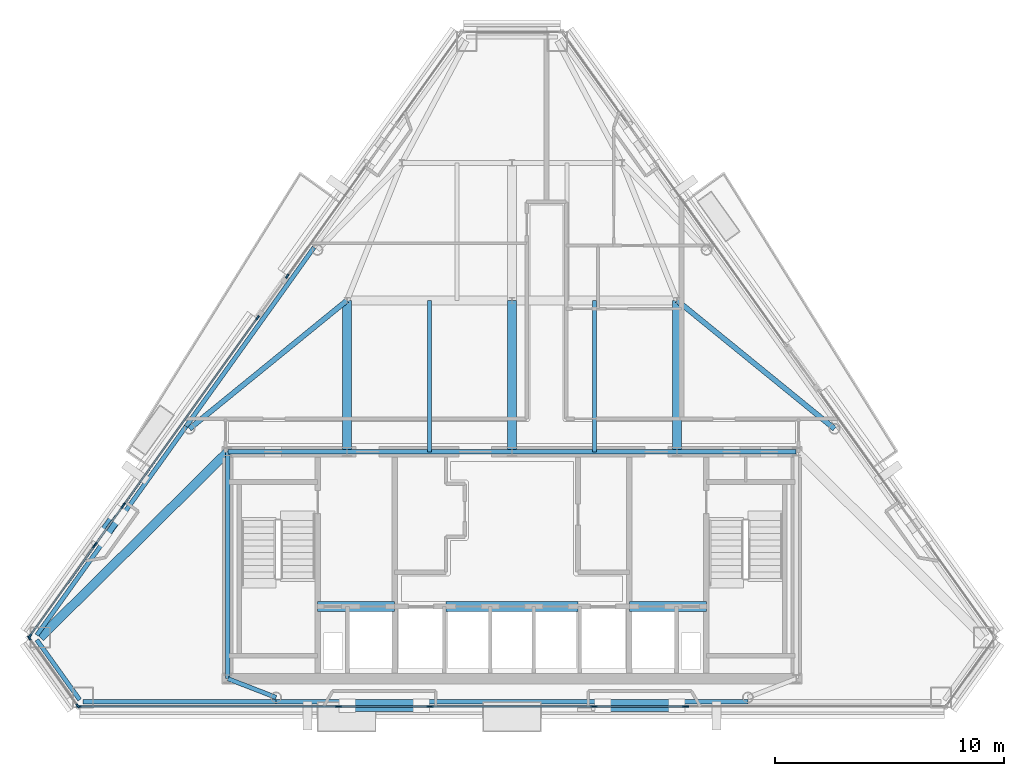
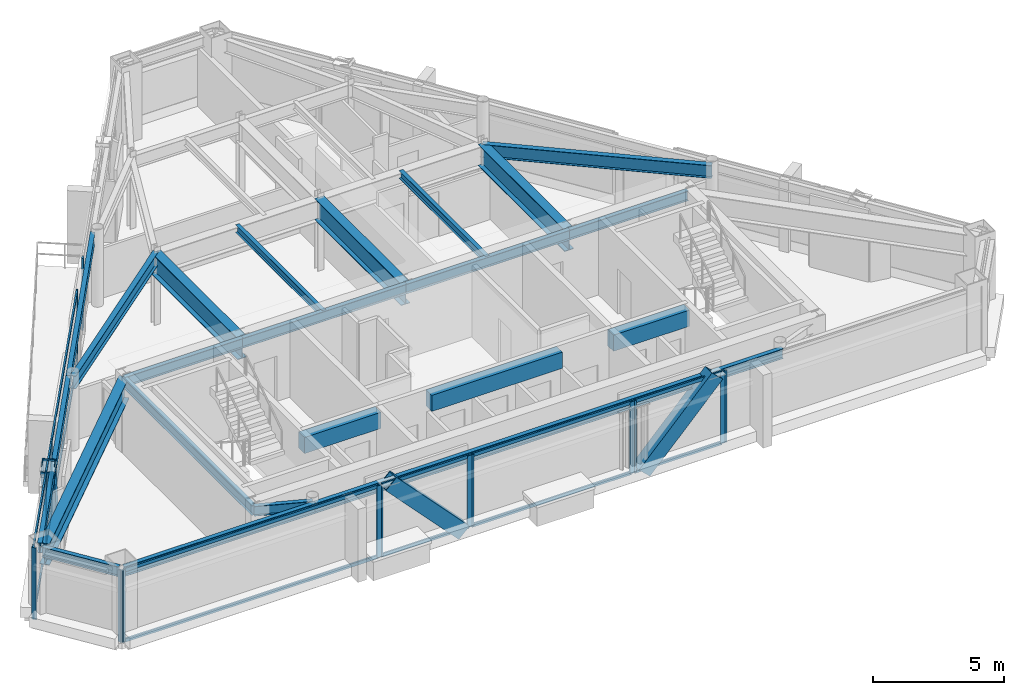
# One storey, part 4 of 12: 35 members, 22 beams, 10 elements without a shape of their own.
"""IFC4 building model written with IfcOpenShell, lengths in metres."""

from ifc_helpers import new_model, si_unit, direction, frame, origin, origin_2d, place, context, subcontext, project, spatial, rectangle, hollow_rectangle, i_section, extrude, material, layer, layer_set, material_profile, profile_set, type_object, element, aggregate, save


model = new_model("IFC4")

# Units and contexts
model_context = context("Model", 3, precision=1e-05, world=origin(), true_north=direction((0.0, 1.0)))
body_context = subcontext(model_context, "Body", "Model", "MODEL_VIEW")
ifc_project = project(units=[si_unit("LENGTHUNIT", "METRE"), si_unit("AREAUNIT", "SQUARE_METRE"), si_unit("VOLUMEUNIT", "CUBIC_METRE"), si_unit("PLANEANGLEUNIT", "RADIAN"), si_unit("MASSUNIT", "GRAM", prefix="KILO")], contexts=[model_context])

# Site, building, storey
site_placement = place(None, origin())
site = spatial("IfcSite", under=ifc_project, at=site_placement, CompositionType="ELEMENT")
building_placement = place(site_placement, origin())
building = spatial("IfcBuilding", under=site, at=building_placement, Name="Talgorran Terracotta Tower", CompositionType="ELEMENT")
storey_placement = place(building_placement, frame((0.0, 0.0, 267.0)))
storey = spatial("IfcBuildingStorey", under=building, at=storey_placement, Name="L70", CompositionType="ELEMENT", Elevation=267.0)

# Beams
ifc_material_1 = material(Name="Steel Grade 350 (350L0)", Category="steel")
ifc_material_profile_1 = material_profile(ifc_material_1, i_section(OverallWidth=0.39990234375, OverallDepth=1.0, WebThickness=0.01611328125, FlangeThickness=0.031005859375, at=origin_2d()), Name="1000WB296")
ifc_profile_set_1 = profile_set([ifc_material_profile_1], Name="Steel Grade 350 (350L0)")
beam_type_1 = type_object("IfcBeamType", Name="BM_1000WB296", PredefinedType="BEAM", material=ifc_profile_set_1)
for number, where, z_axis, x_axis, name in (
    (1, (-7.199951171875, -4.199951171875, 2.844970703125), (0.0, 1.0, 0.0), (-1.0, 0.0, 0.0), "L70 Floor Girder G01"),
    (2, (0.0, -4.199951171875, 2.844970703125), (0.0, 1.0, 0.0), (-1.0, 0.0, 0.0), "L70 Floor Girder G02"),
    (3, (7.199951171875, -4.199951171875, 2.844970703125), (0.0, 1.0, 0.0), (-1.0, 0.0, 0.0), "L70 Floor Girder G03"),
):
    element("IfcBeam", number, at=place(storey_placement, frame(where, z_axis=z_axis, x_axis=x_axis)), inside=storey, type_object=beam_type_1, Name=name, PredefinedType="BEAM", context=body_context, shape_type="SweptSolid", body=[
        extrude(i_section(OverallWidth=0.39990234375, OverallDepth=1.0, WebThickness=0.01611328125, FlangeThickness=0.031005859375, at=origin_2d()), origin(), (0.0, 0.0, 1.0), 6.599853515625),
    ])
beam_1_placement = place(storey_placement, frame((-12.39990234375, -4.199951171875, 2.844970703125), z_axis=(-0.710637755688, -0.703558085868, 0.0), x_axis=(0.703558085868, -0.710637755688, 0.0)))
element("IfcBeam", 4, at=beam_1_placement, inside=storey, type_object=beam_type_1, Name="L70 Floor Girder G17", PredefinedType="BEAM", context=body_context, shape_type="SweptSolid", body=[
    extrude(i_section(OverallWidth=0.39990234375, OverallDepth=1.0, WebThickness=0.01611328125, FlangeThickness=0.031005859375, at=origin_2d()), origin(), (0.0, 0.0, 1.0), 11.517822265625),
])
ifc_material_2 = material(Name="Steel S355 (300PLUS)", Category="steel")
ifc_material_profile_2 = material_profile(ifc_material_2, i_section(OverallWidth=0.22802734375, OverallDepth=0.60205078125, WebThickness=0.010498046875, FlangeThickness=0.014892578125, at=origin_2d()), Name="610UB101")
ifc_profile_set_2 = profile_set([ifc_material_profile_2], Name="Steel S355 (300PLUS)")
beam_type_2 = type_object("IfcBeamType", Name="BM_610UB101", PredefinedType="BEAM", material=ifc_profile_set_2)
for number, where, z_axis, x_axis, name in (
    (5, (-7.199951171875, 2.39990234375, 3.0439453125), (-0.775393850299, -0.631477930667, 0.0), (0.631477930667, -0.775393850299, 0.0), "L70 Floor Girder G06"),
    (6, (7.199951171875, 2.39990234375, 3.0439453125), (0.775393850299, -0.631477930667, 0.0), (0.631477930667, 0.775393850299, 0.0), "L70 Floor Girder G07"),
):
    element("IfcBeam", number, at=place(storey_placement, frame(where, z_axis=z_axis, x_axis=x_axis)), inside=storey, type_object=beam_type_2, Name=name, PredefinedType="BEAM", context=body_context, shape_type="SweptSolid", body=[
        extrude(i_section(OverallWidth=0.22802734375, OverallDepth=0.60205078125, WebThickness=0.010498046875, FlangeThickness=0.014892578125, at=origin_2d()), origin(), (0.0, 0.0, 1.0), 8.862060546875),
    ])
ifc_material_3 = material(Name="Concrete C50/60", Category="concrete")
ifc_material_profile_3 = material_profile(ifc_material_3, rectangle(XDim=0.449951171875, YDim=0.75, at=origin_2d()), Name="RCCB450X750")
ifc_profile_set_3 = profile_set([ifc_material_profile_3], Name="Concrete C50/60")
beam_type_3 = type_object("IfcBeamType", Name="BM_CB_450X750", PredefinedType="LINTEL", material=ifc_profile_set_3)
beam_2_placement = place(storey_placement, frame((-8.47998046875, -10.949951171875, 2.969970703125), z_axis=(1.0, 0.0, 0.0), x_axis=(0.0, 1.0, 0.0)))
element("IfcBeam", 7, at=beam_2_placement, inside=storey, type_object=beam_type_3, Name="L70 Core Shear-Wall Coupling Beam CB1", PredefinedType="LINTEL", context=body_context, shape_type="SweptSolid", body=[
    extrude(rectangle(XDim=0.449951171875, YDim=0.75, at=origin_2d()), origin(), (0.0, 0.0, 1.0), 3.35986328125),
])
beam_3_placement = place(storey_placement, frame((-2.8798828125, -10.949951171875, 2.969970703125), z_axis=(1.0, 0.0, 0.0), x_axis=(0.0, 1.0, 0.0)))
element("IfcBeam", 8, at=beam_3_placement, inside=storey, type_object=beam_type_3, Name="L70 Core Shear-Wall Coupling Beam CB2", PredefinedType="LINTEL", context=body_context, shape_type="SweptSolid", body=[
    extrude(rectangle(XDim=0.449951171875, YDim=0.75, at=origin_2d()), origin(), (0.0, 0.0, 1.0), 5.759765625),
])
beam_4_placement = place(storey_placement, frame((5.1201171875, -10.949951171875, 2.969970703125), z_axis=(1.0, 0.0, 0.0), x_axis=(0.0, 1.0, 0.0)))
element("IfcBeam", 9, at=beam_4_placement, inside=storey, type_object=beam_type_3, Name="L70 Core Shear-Wall Coupling Beam CB3", PredefinedType="LINTEL", context=body_context, shape_type="SweptSolid", body=[
    extrude(rectangle(XDim=0.449951171875, YDim=0.75, at=origin_2d()), origin(), (0.0, 0.0, 1.0), 3.35986328125),
])
ifc_material_profile_4 = material_profile(ifc_material_2, i_section(OverallWidth=0.17138671875, OverallDepth=0.355712890625, WebThickness=0.00732421875, FlangeThickness=0.011474609375, at=origin_2d()), Name="360UB50.7")
ifc_profile_set_4 = profile_set([ifc_material_profile_4], Name="Steel S355 (300PLUS)")
beam_type_4 = type_object("IfcBeamType", Name="BM_JS_360UB51", PredefinedType="JOIST", material=ifc_profile_set_4)
for number, where, z_axis, x_axis, name in (
    (10, (-3.60009765625, -4.199951171875, 3.167236328125), (0.0, 1.0, 0.0), (-1.0, 0.0, 0.0), "L70 Secondary Joist J01"),
    (11, (3.60009765625, -4.199951171875, 3.167236328125), (0.0, 1.0, 0.0), (-1.0, 0.0, 0.0), "L70 Secondary Joist J02"),
):
    element("IfcBeam", number, at=place(storey_placement, frame(where, z_axis=z_axis, x_axis=x_axis)), inside=storey, type_object=beam_type_4, Name=name, PredefinedType="JOIST", context=body_context, shape_type="SweptSolid", body=[
        extrude(i_section(OverallWidth=0.17138671875, OverallDepth=0.355712890625, WebThickness=0.00732421875, FlangeThickness=0.011474609375, at=origin_2d()), origin(), (0.0, 0.0, 1.0), 6.599853515625),
    ])
ifc_material_profile_5 = material_profile(ifc_material_2, i_section(OverallWidth=0.18994140625, OverallDepth=0.45703125, WebThickness=0.009033203125, FlangeThickness=0.014404296875, at=origin_2d()), Name="460UB74.6")
ifc_profile_set_5 = profile_set([ifc_material_profile_5], Name="Steel S355 (300PLUS)")
beam_type_5 = type_object("IfcBeamType", Name="BM_SP_460UB74", PredefinedType="SPANDREL", material=ifc_profile_set_5)
beam_5_placement = place(storey_placement, frame((-20.731201171875, -12.408203125, 3.116455078125), z_axis=(0.581733647308, -0.8133793479, 0.0), x_axis=(0.8133793479, 0.581733647308, 0.0)))
element("IfcBeam", 12, at=beam_5_placement, inside=storey, type_object=beam_type_5, Name="L70 Perimeter Spandrel Beam MC1-MC2", PredefinedType="SPANDREL", context=body_context, shape_type="SweptSolid", body=[
    extrude(i_section(OverallWidth=0.18994140625, OverallDepth=0.45703125, WebThickness=0.009033203125, FlangeThickness=0.014404296875, at=origin_2d()), origin(), (0.0, 0.0, 1.0), 3.215576171875),
])
beam_6_placement = place(storey_placement, frame((-18.71435546875, -15.098876953125, 3.116455078125), z_axis=(1.0, 0.0, 0.0), x_axis=(0.0, 1.0, 0.0)))
element("IfcBeam", 13, at=beam_6_placement, inside=storey, type_object=beam_type_5, Name="L70 Perimeter Spandrel Beam MC2-FC1", PredefinedType="SPANDREL", context=body_context, shape_type="SweptSolid", body=[
    extrude(i_section(OverallWidth=0.18994140625, OverallDepth=0.45703125, WebThickness=0.009033203125, FlangeThickness=0.014404296875, at=origin_2d()), origin(), (0.0, 0.0, 1.0), 8.42138671875),
])
beam_7_placement = place(storey_placement, frame((-10.29296875, -15.098876953125, 3.116455078125), z_axis=(1.0, 0.0, 0.0), x_axis=(0.0, 1.0, 0.0)))
element("IfcBeam", 14, at=beam_7_placement, inside=storey, type_object=beam_type_5, Name="L70 Perimeter Spandrel Beam FC1-FC2", PredefinedType="SPANDREL", context=body_context, shape_type="SweptSolid", body=[
    extrude(i_section(OverallWidth=0.18994140625, OverallDepth=0.45703125, WebThickness=0.009033203125, FlangeThickness=0.014404296875, at=origin_2d()), origin(), (0.0, 0.0, 1.0), 20.5859375),
])
beam_8_placement = place(storey_placement, frame((-8.635009765625, 4.71435546875, 3.116455078125), z_axis=(-0.581733798122, -0.813379240037, 0.0), x_axis=(0.813379240037, -0.581733798122, 0.0)))
element("IfcBeam", 15, at=beam_8_placement, inside=storey, type_object=beam_type_5, Name="L70 Perimeter Spandrel Beam FC5-FC6", PredefinedType="SPANDREL", context=body_context, shape_type="SweptSolid", body=[
    extrude(i_section(OverallWidth=0.18994140625, OverallDepth=0.45703125, WebThickness=0.009033203125, FlangeThickness=0.014404296875, at=origin_2d()), origin(), (0.0, 0.0, 1.0), 9.59716796875),
])
beam_9_placement = place(storey_placement, frame((-14.218017578125, -3.091796875, 3.116455078125), z_axis=(-0.581724880889, -0.813385617622, 0.0), x_axis=(0.813385617622, -0.581724880889, 0.0)))
element("IfcBeam", 16, at=beam_9_placement, inside=storey, type_object=beam_type_5, Name="L70 Perimeter Spandrel Beam FC6-MC1", PredefinedType="SPANDREL", context=body_context, shape_type="SweptSolid", body=[
    extrude(i_section(OverallWidth=0.18994140625, OverallDepth=0.45703125, WebThickness=0.009033203125, FlangeThickness=0.014404296875, at=origin_2d()), origin(), (0.0, 0.0, 1.0), 11.1962890625),
])
beam_10_placement = place(storey_placement, frame((-10.29296875, -14.9189453125, 3.116455078125), z_axis=(-0.932081672707, 0.362248195859, 0.0), x_axis=(-0.362248195859, -0.932081672707, 0.0)))
element("IfcBeam", 17, at=beam_10_placement, inside=storey, type_object=beam_type_5, Name="L70 South-West Core Tie Beam", PredefinedType="SPANDREL", context=body_context, shape_type="SweptSolid", body=[
    extrude(i_section(OverallWidth=0.18994140625, OverallDepth=0.45703125, WebThickness=0.009033203125, FlangeThickness=0.014404296875, at=origin_2d()), origin(), (0.0, 0.0, 1.0), 2.260498046875),
])
beam_11_placement = place(storey_placement, frame((-12.39990234375, -14.10009765625, 3.116455078125), z_axis=(0.0, 1.0, 0.0), x_axis=(-1.0, 0.0, 0.0)))
element("IfcBeam", 18, at=beam_11_placement, inside=storey, type_object=beam_type_5, Name="L70 Core Frame Beam CFW", PredefinedType="SPANDREL", context=body_context, shape_type="SweptSolid", body=[
    extrude(i_section(OverallWidth=0.18994140625, OverallDepth=0.45703125, WebThickness=0.009033203125, FlangeThickness=0.014404296875, at=origin_2d()), origin(), (0.0, 0.0, 1.0), 9.900146484375),
])
beam_12_placement = place(storey_placement, frame((-12.39990234375, -4.199951171875, 3.116455078125), z_axis=(1.0, 0.0, 0.0), x_axis=(0.0, 1.0, 0.0)))
element("IfcBeam", 19, at=beam_12_placement, inside=storey, type_object=beam_type_5, Name="L70 Core Frame Beam CFN1", PredefinedType="SPANDREL", context=body_context, shape_type="SweptSolid", body=[
    extrude(i_section(OverallWidth=0.18994140625, OverallDepth=0.45703125, WebThickness=0.009033203125, FlangeThickness=0.014404296875, at=origin_2d()), origin(), (0.0, 0.0, 1.0), 5.199951171875),
])
for number, where, z_axis, x_axis, name in (
    (20, (-7.199951171875, -4.199951171875, 3.116455078125), (1.0, 0.0, 0.0), (0.0, 1.0, 0.0), "L70 Core Frame Beam CFN2"),
    (21, (0.0, -4.199951171875, 3.116455078125), (1.0, 0.0, 0.0), (0.0, 1.0, 0.0), "L70 Core Frame Beam CFN3"),
):
    element("IfcBeam", number, at=place(storey_placement, frame(where, z_axis=z_axis, x_axis=x_axis)), inside=storey, type_object=beam_type_5, Name=name, PredefinedType="SPANDREL", context=body_context, shape_type="SweptSolid", body=[
        extrude(i_section(OverallWidth=0.18994140625, OverallDepth=0.45703125, WebThickness=0.009033203125, FlangeThickness=0.014404296875, at=origin_2d()), origin(), (0.0, 0.0, 1.0), 7.199951171875),
    ])
beam_13_placement = place(storey_placement, frame((7.199951171875, -4.199951171875, 3.116455078125), z_axis=(1.0, 0.0, 0.0), x_axis=(0.0, 1.0, 0.0)))
element("IfcBeam", 22, at=beam_13_placement, inside=storey, type_object=beam_type_5, Name="L70 Core Frame Beam CFN4", PredefinedType="SPANDREL", context=body_context, shape_type="SweptSolid", body=[
    extrude(i_section(OverallWidth=0.18994140625, OverallDepth=0.45703125, WebThickness=0.009033203125, FlangeThickness=0.014404296875, at=origin_2d()), origin(), (0.0, 0.0, 1.0), 5.199951171875),
])

# Members
ifc_material_profile_6 = material_profile(ifc_material_1, hollow_rectangle(XDim=0.52001953125, YDim=0.659912109375, WallThickness=0.034912109375, at=origin_2d()), Name="WBOX660X520X35")
ifc_profile_set_6 = profile_set([ifc_material_profile_6], Name="Steel Grade 350 (350L0)")
member_type_1 = type_object("IfcMemberType", Name="MB_MEGA_660", PredefinedType="BRACE", material=ifc_profile_set_6)
for number, where, z_axis, x_axis, name in (
    (23, (-3.968994140625, -15.27880859375, -0.02490234375), (-0.687356288481, 0.0, 0.726320406354), (0.0, -1.0, 0.0), "L70 Exterior Face Mega-Brace MB-3 (SWF)"),
    (24, (3.968994140625, -15.27880859375, -0.02490234375), (0.687356288481, 0.0, 0.726320406354), (0.0, 1.0, 0.0), "L70 Exterior Face Mega-Brace MB-3 (SEF)"),
):
    element("IfcMember", number, at=place(storey_placement, frame(where, z_axis=z_axis, x_axis=x_axis)), inside=storey, type_object=member_type_1, Name=name, PredefinedType="BRACE", context=body_context, shape_type="SweptSolid", body=[
        extrude(hollow_rectangle(XDim=0.52001953125, YDim=0.659912109375, WallThickness=0.034912109375, at=origin_2d()), origin(), (0.0, 0.0, 1.0), 4.67431640625),
    ])
member_1_placement = place(storey_placement, frame((-17.197509765625, -6.9482421875, -0.02490234375), z_axis=(-0.193842884076, -0.271068153387, 0.942839855178), x_axis=(0.813417169156, -0.581680762035, 0.0)))
element("IfcMember", 25, at=member_1_placement, inside=storey, type_object=member_type_1, Name="L70 Exterior Face Mega-Brace MB-3 (NWL)", PredefinedType="BRACE", context=body_context, shape_type="SweptSolid", body=[
    extrude(hollow_rectangle(XDim=0.52001953125, YDim=0.659912109375, WallThickness=0.034912109375, at=origin_2d()), origin(), (0.0, 0.0, 1.0), 3.600830078125),
])

# Curtain wall, members
ifc_material_4 = material(Name="High-Wind Unitised Glazing", Category="glass")
ifc_layer = layer(ifc_material_4, 0.2099609375, Name="CW_SYS3_RES_HIGH")
ifc_layer_set = layer_set([ifc_layer], Name="High-Wind Unitised Glazing")
curtain_wall_type = type_object("IfcCurtainWallType", Name="CW_SYS3_RES_HIGH", PredefinedType="NOTDEFINED", material=ifc_layer_set)
curtain_wall_1_placement = place(storey_placement, origin())
curtain_wall_1 = element("IfcCurtainWall", 26, at=curtain_wall_1_placement, inside=storey, type_object=curtain_wall_type, Name="CW-L70-F0", PredefinedType="NOTDEFINED")
ifc_material_5 = material(Name="Architectural Aluminium 6063-T6", Category="aluminium")
ifc_material_profile_7 = material_profile(ifc_material_5, rectangle(XDim=0.070068359375, YDim=0.199951171875, at=origin_2d()), Name="CWM70X200")
ifc_profile_set_7 = profile_set([ifc_material_profile_7], Name="Architectural Aluminium 6063-T6")
member_type_2 = type_object("IfcMemberType", Name="MUL_70X200", PredefinedType="MULLION", material=ifc_profile_set_7)
member_2_placement = place(storey_placement, frame((-21.056396484375, -12.33203125, 0.0), z_axis=(0.0, 0.0, 1.0), x_axis=(0.813370623345, 0.581745845777, 0.0)))
member_2 = element("IfcMember", 27, at=member_2_placement, type_object=member_type_2, Name="CW-L70-0 mullion 1", PredefinedType="MULLION", context=body_context, shape_type="SweptSolid", body=[
    extrude(rectangle(XDim=0.070068359375, YDim=0.199951171875, at=origin_2d()), origin(), (0.0, 0.0, 1.0), 3.344970703125),
])
member_3_placement = place(storey_placement, frame((-18.9404296875, -15.29052734375, 0.0), z_axis=(0.0, 0.0, 1.0), x_axis=(0.813370623345, 0.581745845777, 0.0)))
member_3 = element("IfcMember", 28, at=member_3_placement, type_object=member_type_2, Name="CW-L70-0 mullion 2", PredefinedType="MULLION", context=body_context, shape_type="SweptSolid", body=[
    extrude(rectangle(XDim=0.070068359375, YDim=0.199951171875, at=origin_2d()), origin(), (0.0, 0.0, 1.0), 3.344970703125),
])
aggregate(curtain_wall_1, [member_2, member_3])

curtain_wall_2_placement = place(storey_placement, origin())
curtain_wall_2 = element("IfcCurtainWall", 29, at=curtain_wall_2_placement, inside=storey, type_object=curtain_wall_type, Name="CW-L70-F1", PredefinedType="NOTDEFINED")
member_4_placement = place(storey_placement, frame((-18.885009765625, -15.31884765625, 0.0), z_axis=(0.0, 0.0, 1.0), x_axis=(0.0, 1.0, 0.0)))
member_4 = element("IfcMember", 30, at=member_4_placement, type_object=member_type_2, Name="CW-L70-1 mullion 1", PredefinedType="MULLION", context=body_context, shape_type="SweptSolid", body=[
    extrude(rectangle(XDim=0.070068359375, YDim=0.199951171875, at=origin_2d()), origin(), (0.0, 0.0, 1.0), 3.344970703125),
])
member_5_placement = place(storey_placement, frame((-7.611572265625, -15.31884765625, 0.0), z_axis=(0.0, 0.0, 1.0), x_axis=(0.0, 1.0, 0.0)))
member_5 = element("IfcMember", 31, at=member_5_placement, type_object=member_type_2, Name="CW-L70-1 mullion 2", PredefinedType="MULLION", context=body_context, shape_type="SweptSolid", body=[
    extrude(rectangle(XDim=0.070068359375, YDim=0.199951171875, at=origin_2d()), origin(), (0.0, 0.0, 1.0), 3.344970703125),
])

curtain_wall_3_placement = place(storey_placement, origin())
curtain_wall_3 = element("IfcCurtainWall", 32, at=curtain_wall_3_placement, inside=storey, type_object=curtain_wall_type, Name="CW-L70-F1B", PredefinedType="NOTDEFINED")
member_6_placement = place(storey_placement, frame((-7.531494140625, -15.31884765625, 0.0), z_axis=(0.0, 0.0, 1.0), x_axis=(0.0, 1.0, 0.0)))
member_6 = element("IfcMember", 33, at=member_6_placement, type_object=member_type_2, Name="CW-L70-1B mullion 1", PredefinedType="MULLION", context=body_context, shape_type="SweptSolid", body=[
    extrude(rectangle(XDim=0.070068359375, YDim=0.199951171875, at=origin_2d()), origin(), (0.0, 0.0, 1.0), 3.344970703125),
])
member_7_placement = place(storey_placement, frame((-3.619140625, -15.31884765625, 0.0), z_axis=(0.0, 0.0, 1.0), x_axis=(0.0, 1.0, 0.0)))
member_7 = element("IfcMember", 34, at=member_7_placement, type_object=member_type_2, Name="CW-L70-1B mullion 2", PredefinedType="MULLION", context=body_context, shape_type="SweptSolid", body=[
    extrude(rectangle(XDim=0.070068359375, YDim=0.199951171875, at=origin_2d()), origin(), (0.0, 0.0, 1.0), 3.344970703125),
])

curtain_wall_4_placement = place(storey_placement, origin())
curtain_wall_4 = element("IfcCurtainWall", 35, at=curtain_wall_4_placement, inside=storey, type_object=curtain_wall_type, Name="CW-L70-F1C", PredefinedType="NOTDEFINED")
member_8_placement = place(storey_placement, frame((-3.539306640625, -15.31884765625, 0.0), z_axis=(0.0, 0.0, 1.0), x_axis=(0.0, 1.0, 0.0)))
member_8 = element("IfcMember", 36, at=member_8_placement, type_object=member_type_2, Name="CW-L70-1C mullion 1", PredefinedType="MULLION", context=body_context, shape_type="SweptSolid", body=[
    extrude(rectangle(XDim=0.070068359375, YDim=0.199951171875, at=origin_2d()), origin(), (0.0, 0.0, 1.0), 3.344970703125),
])
member_9_placement = place(storey_placement, frame((3.539306640625, -15.31884765625, 0.0), z_axis=(0.0, 0.0, 1.0), x_axis=(0.0, 1.0, 0.0)))
member_9 = element("IfcMember", 37, at=member_9_placement, type_object=member_type_2, Name="CW-L70-1C mullion 2", PredefinedType="MULLION", context=body_context, shape_type="SweptSolid", body=[
    extrude(rectangle(XDim=0.070068359375, YDim=0.199951171875, at=origin_2d()), origin(), (0.0, 0.0, 1.0), 3.344970703125),
])

curtain_wall_5_placement = place(storey_placement, origin())
curtain_wall_5 = element("IfcCurtainWall", 38, at=curtain_wall_5_placement, inside=storey, type_object=curtain_wall_type, Name="CW-L70-F1D", PredefinedType="NOTDEFINED")
member_10_placement = place(storey_placement, frame((3.619140625, -15.31884765625, 0.0), z_axis=(0.0, 0.0, 1.0), x_axis=(0.0, 1.0, 0.0)))
member_10 = element("IfcMember", 39, at=member_10_placement, type_object=member_type_2, Name="CW-L70-1D mullion 1", PredefinedType="MULLION", context=body_context, shape_type="SweptSolid", body=[
    extrude(rectangle(XDim=0.070068359375, YDim=0.199951171875, at=origin_2d()), origin(), (0.0, 0.0, 1.0), 3.344970703125),
])
member_11_placement = place(storey_placement, frame((7.531494140625, -15.31884765625, 0.0), z_axis=(0.0, 0.0, 1.0), x_axis=(0.0, 1.0, 0.0)))
member_11 = element("IfcMember", 40, at=member_11_placement, type_object=member_type_2, Name="CW-L70-1D mullion 2", PredefinedType="MULLION", context=body_context, shape_type="SweptSolid", body=[
    extrude(rectangle(XDim=0.070068359375, YDim=0.199951171875, at=origin_2d()), origin(), (0.0, 0.0, 1.0), 3.344970703125),
])

# Curtain wall, member
curtain_wall_6_placement = place(storey_placement, origin())
curtain_wall_6 = element("IfcCurtainWall", 41, at=curtain_wall_6_placement, inside=storey, type_object=curtain_wall_type, Name="CW-L70-F1E", PredefinedType="NOTDEFINED")
member_12_placement = place(storey_placement, frame((7.611572265625, -15.31884765625, 0.0), z_axis=(0.0, 0.0, 1.0), x_axis=(0.0, 1.0, 0.0)))
member_12 = element("IfcMember", 42, at=member_12_placement, type_object=member_type_2, Name="CW-L70-1E mullion 1", PredefinedType="MULLION", context=body_context, shape_type="SweptSolid", body=[
    extrude(rectangle(XDim=0.070068359375, YDim=0.199951171875, at=origin_2d()), origin(), (0.0, 0.0, 1.0), 3.344970703125),
])
aggregate(curtain_wall_6, [member_12])

curtain_wall_7_placement = place(storey_placement, origin())
curtain_wall_7 = element("IfcCurtainWall", 43, at=curtain_wall_7_placement, inside=storey, type_object=curtain_wall_type, Name="CW-L70-F60C", PredefinedType="NOTDEFINED")
member_13_placement = place(storey_placement, frame((-9.8046875, 3.457275390625, 0.0), z_axis=(0.0, 0.0, 1.0), x_axis=(0.813377099395, -0.581736791152, 0.0)))
member_13 = element("IfcMember", 44, at=member_13_placement, type_object=member_type_2, Name="CW-L70-60C mullion 2", PredefinedType="MULLION", context=body_context, shape_type="SweptSolid", body=[
    extrude(rectangle(XDim=0.070068359375, YDim=0.199951171875, at=origin_2d()), origin(), (0.0, 0.0, 1.0), 3.344970703125),
])
aggregate(curtain_wall_7, [member_13])

# Curtain wall, members
curtain_wall_8_placement = place(storey_placement, origin())
curtain_wall_8 = element("IfcCurtainWall", 45, at=curtain_wall_8_placement, inside=storey, type_object=curtain_wall_type, Name="CW-L70-F61", PredefinedType="NOTDEFINED")
member_14_placement = place(storey_placement, frame((-11.101806640625, 1.643310546875, 0.0), z_axis=(0.0, 0.0, 1.0), x_axis=(0.813381544675, -0.581730575767, 0.0)))
member_14 = element("IfcMember", 46, at=member_14_placement, type_object=member_type_2, Name="CW-L70-61 mullion 1", PredefinedType="MULLION", context=body_context, shape_type="SweptSolid", body=[
    extrude(rectangle(XDim=0.070068359375, YDim=0.199951171875, at=origin_2d()), origin(), (0.0, 0.0, 1.0), 3.344970703125),
])
member_15_placement = place(storey_placement, frame((-16.9384765625, -6.517333984375, 0.0), z_axis=(0.0, 0.0, 1.0), x_axis=(0.813381544675, -0.581730575767, 0.0)))
member_15 = element("IfcMember", 47, at=member_15_placement, type_object=member_type_2, Name="CW-L70-61 mullion 2", PredefinedType="MULLION", context=body_context, shape_type="SweptSolid", body=[
    extrude(rectangle(XDim=0.070068359375, YDim=0.199951171875, at=origin_2d()), origin(), (0.0, 0.0, 1.0), 3.344970703125),
])

curtain_wall_9_placement = place(storey_placement, origin())
curtain_wall_9 = element("IfcCurtainWall", 48, at=curtain_wall_9_placement, inside=storey, type_object=curtain_wall_type, Name="CW-L70-F61B", PredefinedType="NOTDEFINED")
member_16_placement = place(storey_placement, frame((-16.98486328125, -6.58251953125, 0.0), z_axis=(0.0, 0.0, 1.0), x_axis=(0.813378256404, -0.581735173433, 0.0)))
member_16 = element("IfcMember", 49, at=member_16_placement, type_object=member_type_2, Name="CW-L70-61B mullion 1", PredefinedType="MULLION", context=body_context, shape_type="SweptSolid", body=[
    extrude(rectangle(XDim=0.070068359375, YDim=0.199951171875, at=origin_2d()), origin(), (0.0, 0.0, 1.0), 3.344970703125),
])
member_17_placement = place(storey_placement, frame((-18.173095703125, -8.24365234375, 0.0), z_axis=(0.0, 0.0, 1.0), x_axis=(0.813378256404, -0.581735173433, 0.0)))
member_17 = element("IfcMember", 50, at=member_17_placement, type_object=member_type_2, Name="CW-L70-61B mullion 2", PredefinedType="MULLION", context=body_context, shape_type="SweptSolid", body=[
    extrude(rectangle(XDim=0.070068359375, YDim=0.199951171875, at=origin_2d()), origin(), (0.0, 0.0, 1.0), 3.344970703125),
])

curtain_wall_10_placement = place(storey_placement, origin())
curtain_wall_10 = element("IfcCurtainWall", 51, at=curtain_wall_10_placement, inside=storey, type_object=curtain_wall_type, Name="CW-L70-F61C", PredefinedType="NOTDEFINED")
member_18_placement = place(storey_placement, frame((-18.219482421875, -8.308837890625, 0.0), z_axis=(0.0, 0.0, 1.0), x_axis=(0.813376636428, -0.581737438466, 0.0)))
member_18 = element("IfcMember", 52, at=member_18_placement, type_object=member_type_2, Name="CW-L70-61C mullion 1", PredefinedType="MULLION", context=body_context, shape_type="SweptSolid", body=[
    extrude(rectangle(XDim=0.070068359375, YDim=0.199951171875, at=origin_2d()), origin(), (0.0, 0.0, 1.0), 3.344970703125),
])
member_19_placement = place(storey_placement, frame((-21.032958984375, -12.242431640625, 0.0), z_axis=(0.0, 0.0, 1.0), x_axis=(0.813376636428, -0.581737438466, 0.0)))
member_19 = element("IfcMember", 53, at=member_19_placement, type_object=member_type_2, Name="CW-L70-61C mullion 2", PredefinedType="MULLION", context=body_context, shape_type="SweptSolid", body=[
    extrude(rectangle(XDim=0.070068359375, YDim=0.199951171875, at=origin_2d()), origin(), (0.0, 0.0, 1.0), 3.344970703125),
])

# Member
ifc_material_profile_8 = material_profile(ifc_material_5, rectangle(XDim=0.070068359375, YDim=0.159912109375, at=origin_2d()), Name="CWT70X160")
ifc_profile_set_8 = profile_set([ifc_material_profile_8], Name="Architectural Aluminium 6063-T6")
member_type_3 = type_object("IfcMemberType", Name="TRN_70X160", PredefinedType="USERDEFINED", material=ifc_profile_set_8)
member_20_placement = place(storey_placement, frame((-18.85009765625, -15.31884765625, 0.034912109375), z_axis=(1.0, 0.0, 0.0), x_axis=(0.0, 1.0, 0.0)))
member_20 = element("IfcMember", 54, at=member_20_placement, type_object=member_type_3, Name="CW-L70-1 transom 1.1", ObjectType="TRANSOM", PredefinedType="USERDEFINED", context=body_context, shape_type="SweptSolid", body=[
    extrude(rectangle(XDim=0.070068359375, YDim=0.159912109375, at=origin_2d()), origin(), (0.0, 0.0, 1.0), 11.20361328125),
])

member_21_placement = place(storey_placement, frame((-18.85009765625, -15.31884765625, 3.31005859375), z_axis=(1.0, 0.0, 0.0), x_axis=(0.0, 1.0, 0.0)))
member_21 = element("IfcMember", 55, at=member_21_placement, type_object=member_type_3, Name="CW-L70-1 transom 1.2", ObjectType="TRANSOM", PredefinedType="USERDEFINED", context=body_context, shape_type="SweptSolid", body=[
    extrude(rectangle(XDim=0.070068359375, YDim=0.159912109375, at=origin_2d()), origin(), (0.0, 0.0, 1.0), 11.20361328125),
])

aggregate(curtain_wall_2, [member_4, member_5, member_20, member_21])

member_22_placement = place(storey_placement, frame((-7.49658203125, -15.31884765625, 0.034912109375), z_axis=(1.0, 0.0, 0.0), x_axis=(0.0, 1.0, 0.0)))
member_22 = element("IfcMember", 56, at=member_22_placement, type_object=member_type_3, Name="CW-L70-1B transom 1.1", ObjectType="TRANSOM", PredefinedType="USERDEFINED", context=body_context, shape_type="SweptSolid", body=[
    extrude(rectangle(XDim=0.070068359375, YDim=0.159912109375, at=origin_2d()), origin(), (0.0, 0.0, 1.0), 3.84228515625),
])

member_23_placement = place(storey_placement, frame((-7.49658203125, -15.31884765625, 3.31005859375), z_axis=(1.0, 0.0, 0.0), x_axis=(0.0, 1.0, 0.0)))
member_23 = element("IfcMember", 57, at=member_23_placement, type_object=member_type_3, Name="CW-L70-1B transom 1.2", ObjectType="TRANSOM", PredefinedType="USERDEFINED", context=body_context, shape_type="SweptSolid", body=[
    extrude(rectangle(XDim=0.070068359375, YDim=0.159912109375, at=origin_2d()), origin(), (0.0, 0.0, 1.0), 3.84228515625),
])

aggregate(curtain_wall_3, [member_6, member_7, member_22, member_23])

member_24_placement = place(storey_placement, frame((-3.504150390625, -15.31884765625, 0.034912109375), z_axis=(1.0, 0.0, 0.0), x_axis=(0.0, 1.0, 0.0)))
member_24 = element("IfcMember", 58, at=member_24_placement, type_object=member_type_3, Name="CW-L70-1C transom 1.1", ObjectType="TRANSOM", PredefinedType="USERDEFINED", context=body_context, shape_type="SweptSolid", body=[
    extrude(rectangle(XDim=0.070068359375, YDim=0.159912109375, at=origin_2d()), origin(), (0.0, 0.0, 1.0), 7.00830078125),
])

member_25_placement = place(storey_placement, frame((-3.504150390625, -15.31884765625, 3.31005859375), z_axis=(1.0, 0.0, 0.0), x_axis=(0.0, 1.0, 0.0)))
member_25 = element("IfcMember", 59, at=member_25_placement, type_object=member_type_3, Name="CW-L70-1C transom 1.2", ObjectType="TRANSOM", PredefinedType="USERDEFINED", context=body_context, shape_type="SweptSolid", body=[
    extrude(rectangle(XDim=0.070068359375, YDim=0.159912109375, at=origin_2d()), origin(), (0.0, 0.0, 1.0), 7.00830078125),
])

aggregate(curtain_wall_4, [member_8, member_9, member_24, member_25])

member_26_placement = place(storey_placement, frame((3.654296875, -15.31884765625, 0.034912109375), z_axis=(1.0, 0.0, 0.0), x_axis=(0.0, 1.0, 0.0)))
member_26 = element("IfcMember", 60, at=member_26_placement, type_object=member_type_3, Name="CW-L70-1D transom 1.1", ObjectType="TRANSOM", PredefinedType="USERDEFINED", context=body_context, shape_type="SweptSolid", body=[
    extrude(rectangle(XDim=0.070068359375, YDim=0.159912109375, at=origin_2d()), origin(), (0.0, 0.0, 1.0), 3.84228515625),
])

member_27_placement = place(storey_placement, frame((3.654296875, -15.31884765625, 3.31005859375), z_axis=(1.0, 0.0, 0.0), x_axis=(0.0, 1.0, 0.0)))
member_27 = element("IfcMember", 61, at=member_27_placement, type_object=member_type_3, Name="CW-L70-1D transom 1.2", ObjectType="TRANSOM", PredefinedType="USERDEFINED", context=body_context, shape_type="SweptSolid", body=[
    extrude(rectangle(XDim=0.070068359375, YDim=0.159912109375, at=origin_2d()), origin(), (0.0, 0.0, 1.0), 3.84228515625),
])

aggregate(curtain_wall_5, [member_10, member_11, member_26, member_27])

member_28_placement = place(storey_placement, frame((-11.122314453125, 1.61474609375, 0.034912109375), z_axis=(-0.581720240845, -0.813388936113, 0.0), x_axis=(0.813388936113, -0.581720240845, 0.0)))
member_28 = element("IfcMember", 62, at=member_28_placement, type_object=member_type_3, Name="CW-L70-61 transom 1.1", ObjectType="TRANSOM", PredefinedType="USERDEFINED", context=body_context, shape_type="SweptSolid", body=[
    extrude(rectangle(XDim=0.070068359375, YDim=0.159912109375, at=origin_2d()), origin(), (0.0, 0.0, 1.0), 9.962890625),
])

member_29_placement = place(storey_placement, frame((-11.122314453125, 1.61474609375, 3.31005859375), z_axis=(-0.581720240845, -0.813388936113, 0.0), x_axis=(0.813388936113, -0.581720240845, 0.0)))
member_29 = element("IfcMember", 63, at=member_29_placement, type_object=member_type_3, Name="CW-L70-61 transom 1.2", ObjectType="TRANSOM", PredefinedType="USERDEFINED", context=body_context, shape_type="SweptSolid", body=[
    extrude(rectangle(XDim=0.070068359375, YDim=0.159912109375, at=origin_2d()), origin(), (0.0, 0.0, 1.0), 9.962890625),
])

aggregate(curtain_wall_8, [member_14, member_15, member_28, member_29])

member_30_placement = place(storey_placement, frame((-17.00537109375, -6.61083984375, 0.034912109375), z_axis=(-0.581683076992, -0.813415513708, 0.0), x_axis=(0.813415513708, -0.581683076992, 0.0)))
member_30 = element("IfcMember", 64, at=member_30_placement, type_object=member_type_3, Name="CW-L70-61B transom 1.1", ObjectType="TRANSOM", PredefinedType="USERDEFINED", context=body_context, shape_type="SweptSolid", body=[
    extrude(rectangle(XDim=0.070068359375, YDim=0.159912109375, at=origin_2d()), origin(), (0.0, 0.0, 1.0), 1.97216796875),
])

member_31_placement = place(storey_placement, frame((-17.00537109375, -6.61083984375, 3.31005859375), z_axis=(-0.581683076992, -0.813415513708, 0.0), x_axis=(0.813415513708, -0.581683076992, 0.0)))
member_31 = element("IfcMember", 65, at=member_31_placement, type_object=member_type_3, Name="CW-L70-61B transom 1.2", ObjectType="TRANSOM", PredefinedType="USERDEFINED", context=body_context, shape_type="SweptSolid", body=[
    extrude(rectangle(XDim=0.070068359375, YDim=0.159912109375, at=origin_2d()), origin(), (0.0, 0.0, 1.0), 1.97216796875),
])

aggregate(curtain_wall_9, [member_16, member_17, member_30, member_31])

member_32_placement = place(storey_placement, frame((-18.239990234375, -8.337158203125, 0.034912109375), z_axis=(-0.581717771197, -0.813390702352, 0.0), x_axis=(0.813390702352, -0.581717771197, 0.0)))
member_32 = element("IfcMember", 66, at=member_32_placement, type_object=member_type_3, Name="CW-L70-61C transom 1.1", ObjectType="TRANSOM", PredefinedType="USERDEFINED", context=body_context, shape_type="SweptSolid", body=[
    extrude(rectangle(XDim=0.070068359375, YDim=0.159912109375, at=origin_2d()), origin(), (0.0, 0.0, 1.0), 4.766357421875),
])

member_33_placement = place(storey_placement, frame((-18.239990234375, -8.337158203125, 3.31005859375), z_axis=(-0.581717771197, -0.813390702352, 0.0), x_axis=(0.813390702352, -0.581717771197, 0.0)))
member_33 = element("IfcMember", 67, at=member_33_placement, type_object=member_type_3, Name="CW-L70-61C transom 1.2", ObjectType="TRANSOM", PredefinedType="USERDEFINED", context=body_context, shape_type="SweptSolid", body=[
    extrude(rectangle(XDim=0.070068359375, YDim=0.159912109375, at=origin_2d()), origin(), (0.0, 0.0, 1.0), 4.766357421875),
])

aggregate(curtain_wall_10, [member_18, member_19, member_32, member_33])

save(model, "model.ifc")
